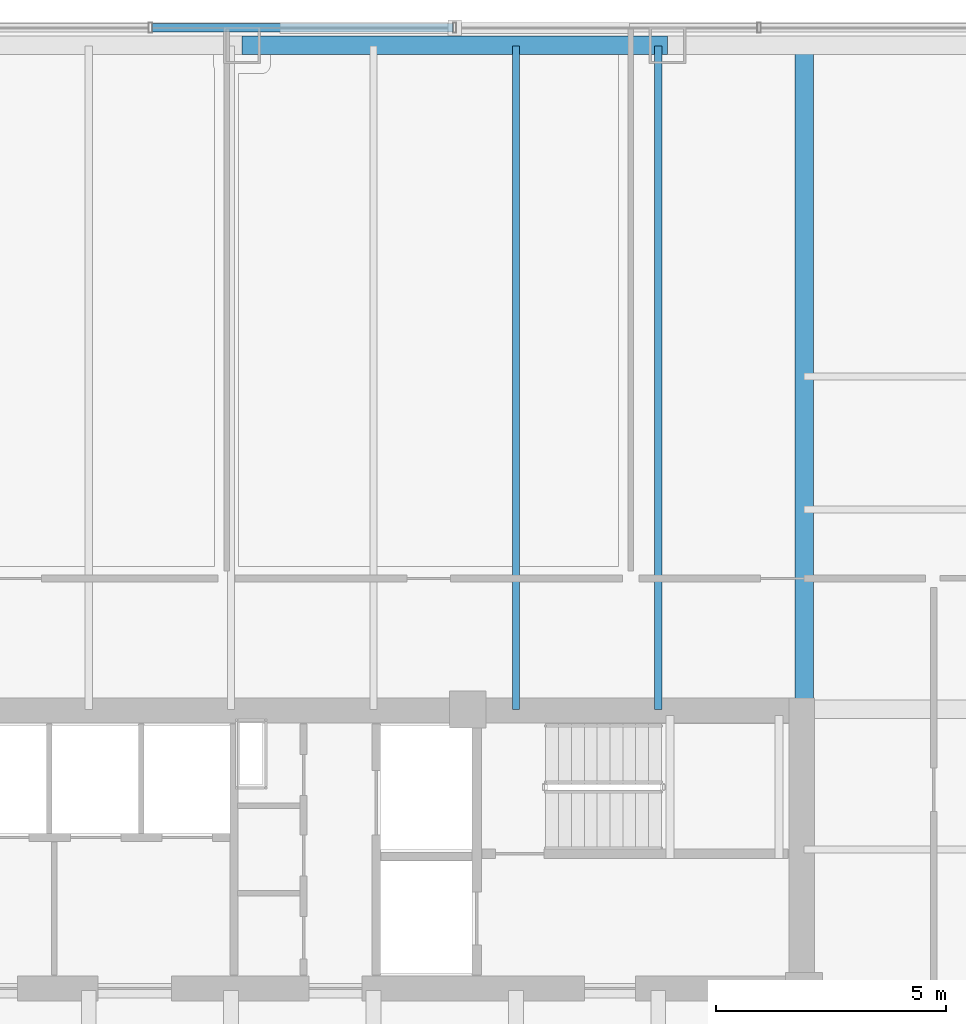
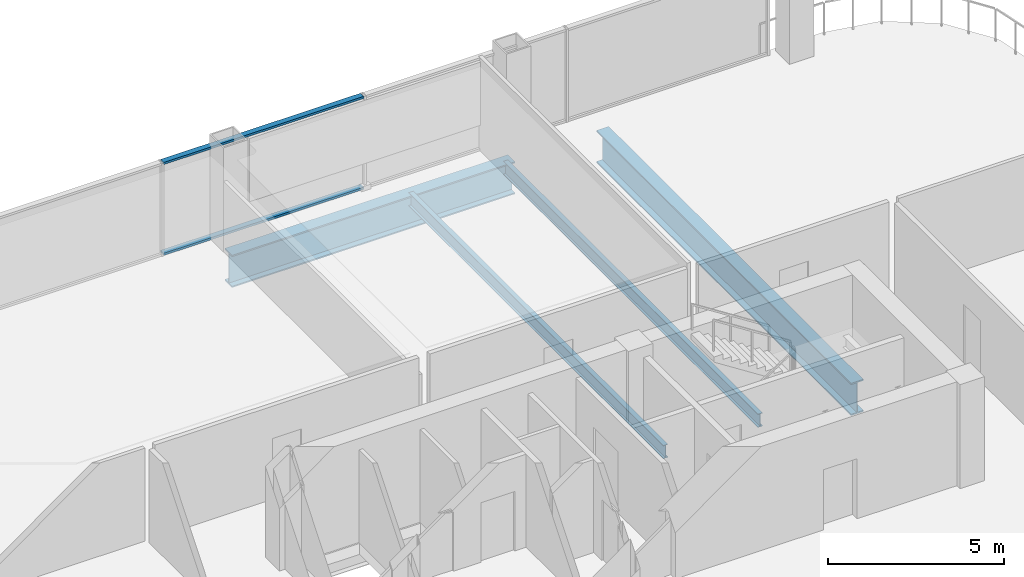
# One storey, part 12 of 20: 4 beams, 2 members, 1 element without a shape of its own.
"""IFC4 building model written with IfcOpenShell, lengths in metres."""

from ifc_helpers import new_model, si_unit, direction, frame, origin, origin_2d, place, context, subcontext, project, spatial, hollow_rectangle, i_section, extrude, material, layer, layer_set, material_profile, profile_set, type_object, element, aggregate, save


model = new_model("IFC4")

# Units and contexts
model_context = context("Model", 3, precision=1e-05, world=origin(), true_north=direction((0.0, 1.0)))
body_context = subcontext(model_context, "Body", "Model", "MODEL_VIEW")
ifc_project = project(units=[si_unit("LENGTHUNIT", "METRE"), si_unit("AREAUNIT", "SQUARE_METRE"), si_unit("VOLUMEUNIT", "CUBIC_METRE"), si_unit("PLANEANGLEUNIT", "RADIAN"), si_unit("MASSUNIT", "GRAM", prefix="KILO")], contexts=[model_context])

# Site, building, storey
site_placement = place(None, origin())
site = spatial("IfcSite", under=ifc_project, at=site_placement, CompositionType="ELEMENT")
building_placement = place(site_placement, origin())
building = spatial("IfcBuilding", under=site, at=building_placement, Name="Qhalaya Broadcast Tower", CompositionType="ELEMENT")
storey_placement = place(building_placement, frame((0.0, 0.0, 104.85009765625)))
storey = spatial("IfcBuildingStorey", under=building, at=storey_placement, Name="L30", CompositionType="ELEMENT", Elevation=104.85009765625)

# Beams
ifc_material_1 = material(Name="Structural Steel ASTM A992 Grade 50", Category="steel")
ifc_material_profile_1 = material_profile(ifc_material_1, i_section(OverallWidth=0.154052734375, OverallDepth=0.458984375, WebThickness=0.009033203125, FlangeThickness=0.015380859375, at=origin_2d()), Name="W18X46")
ifc_profile_set_1 = profile_set([ifc_material_profile_1], Name="Structural Steel ASTM A992 Grade 50")
beam_type_1 = type_object("IfcBeamType", Name="Composite Floor Joist J04", PredefinedType="JOIST", material=ifc_profile_set_1)
for number, where, z_axis, x_axis, name in (
    (1, (3.10009765625, 9.949951171875, -0.609619140625), (0.0, 1.0, 0.0), (-1.0, 0.0, 0.0), "L30 J04 L30-JNN4-1"),
    (2, (6.199951171875, 9.949951171875, -0.609619140625), (0.0, 1.0, 0.0), (-1.0, 0.0, 0.0), "L30 J04 L30-JNN5-1"),
):
    element("IfcBeam", number, at=place(storey_placement, frame(where, z_axis=z_axis, x_axis=x_axis)), inside=storey, type_object=beam_type_1, Name=name, PredefinedType="JOIST", context=body_context, shape_type="SweptSolid", body=[
        extrude(i_section(OverallWidth=0.154052734375, OverallDepth=0.458984375, WebThickness=0.009033203125, FlangeThickness=0.015380859375, at=origin_2d()), origin(), (0.0, 0.0, 1.0), 14.43994140625),
    ])
ifc_material_profile_2 = material_profile(ifc_material_1, i_section(OverallWidth=0.404052734375, OverallDepth=1.117919921875, WebThickness=0.026123046875, FlangeThickness=0.044921875, at=origin_2d()), Name="W44X335")
ifc_profile_set_2 = profile_set([ifc_material_profile_2], Name="Structural Steel ASTM A992 Grade 50")
beam_type_2 = type_object("IfcBeamType", Name="Podium Long-Span Primary Girder PG1", PredefinedType="USERDEFINED", material=ifc_profile_set_2)
beam_1_placement = place(storey_placement, frame((6.4033203125, 24.409912109375, -0.939208984375), z_axis=(-1.0, 0.0, 0.0), x_axis=(0.0, -1.0, 0.0)))
element("IfcBeam", 3, at=beam_1_placement, inside=storey, type_object=beam_type_2, Name="L30 PG1 L30-SPR-10", ObjectType="GIRDER", PredefinedType="USERDEFINED", context=body_context, shape_type="SweptSolid", body=[
    extrude(i_section(OverallWidth=0.404052734375, OverallDepth=1.117919921875, WebThickness=0.026123046875, FlangeThickness=0.044921875, at=origin_2d()), origin(), (0.0, 0.0, 1.0), 9.2666015625),
])
beam_2_placement = place(storey_placement, frame((9.375, 9.949951171875, -0.939208984375), z_axis=(0.0, 1.0, 0.0), x_axis=(-1.0, 0.0, 0.0)))
element("IfcBeam", 4, at=beam_2_placement, inside=storey, type_object=beam_type_2, Name="L30 PG1 L30-PGXN2-1", ObjectType="GIRDER", PredefinedType="USERDEFINED", context=body_context, shape_type="SweptSolid", body=[
    extrude(i_section(OverallWidth=0.404052734375, OverallDepth=1.117919921875, WebThickness=0.026123046875, FlangeThickness=0.044921875, at=origin_2d()), origin(), (0.0, 0.0, 1.0), 14.43994140625),
])

# Curtain wall, members
ifc_material_2 = material(Name="Solar-Control Low-E Triple Glazing", Category="glass")
ifc_layer = layer(ifc_material_2, 0.219970703125, Name="Solar-Control Low-E Triple Glazing")
ifc_layer_set = layer_set([ifc_layer], Name="Solar-Control Low-E Triple Glazing")
curtain_wall_type = type_object("IfcCurtainWallType", Name="Recessed Sky-Garden Neck Ribbon Curtain Wall CW-05", PredefinedType="NOTDEFINED", material=ifc_layer_set)
curtain_wall_placement = place(storey_placement, origin())
curtain_wall = element("IfcCurtainWall", 5, at=curtain_wall_placement, inside=storey, type_object=curtain_wall_type, Name="L30 Unitised Curtain Wall L30-CW-N", PredefinedType="NOTDEFINED")
ifc_material_3 = material(Name="Anodised Aluminium 6063-T6", Category="aluminium")
ifc_material_profile_3 = material_profile(ifc_material_3, hollow_rectangle(XDim=0.074951171875, YDim=0.179931640625, WallThickness=0.00390625, at=origin_2d()), Name="ALU-TRN 75x180x4")
ifc_profile_set_3 = profile_set([ifc_material_profile_3], Name="Anodised Aluminium 6063-T6")
member_type = type_object("IfcMemberType", Name="Unitised Curtain-Wall Transom T01", PredefinedType="USERDEFINED", material=ifc_profile_set_3)
member_1_placement = place(storey_placement, frame((1.732421875, 24.7900390625, 0.037353515625), z_axis=(-1.0, 0.0, 0.0), x_axis=(0.0, 0.0, 1.0)))
member_1 = element("IfcMember", 6, at=member_1_placement, type_object=member_type, Name="CW-05 transom 3.1", ObjectType="TRANSOM", PredefinedType="USERDEFINED", context=body_context, shape_type="SweptSolid", body=[
    extrude(hollow_rectangle(XDim=0.074951171875, YDim=0.179931640625, WallThickness=0.00390625, at=origin_2d()), origin(), (0.0, 0.0, 1.0), 6.5498046875),
])
member_2_placement = place(storey_placement, frame((1.732421875, 24.7900390625, 3.182373046875), z_axis=(-1.0, 0.0, 0.0), x_axis=(0.0, 0.0, 1.0)))
member_2 = element("IfcMember", 7, at=member_2_placement, type_object=member_type, Name="CW-05 transom 3.2", ObjectType="TRANSOM", PredefinedType="USERDEFINED", context=body_context, shape_type="SweptSolid", body=[
    extrude(hollow_rectangle(XDim=0.074951171875, YDim=0.179931640625, WallThickness=0.00390625, at=origin_2d()), origin(), (0.0, 0.0, 1.0), 6.5498046875),
])
aggregate(curtain_wall, [member_1, member_2])

save(model, "model.ifc")
